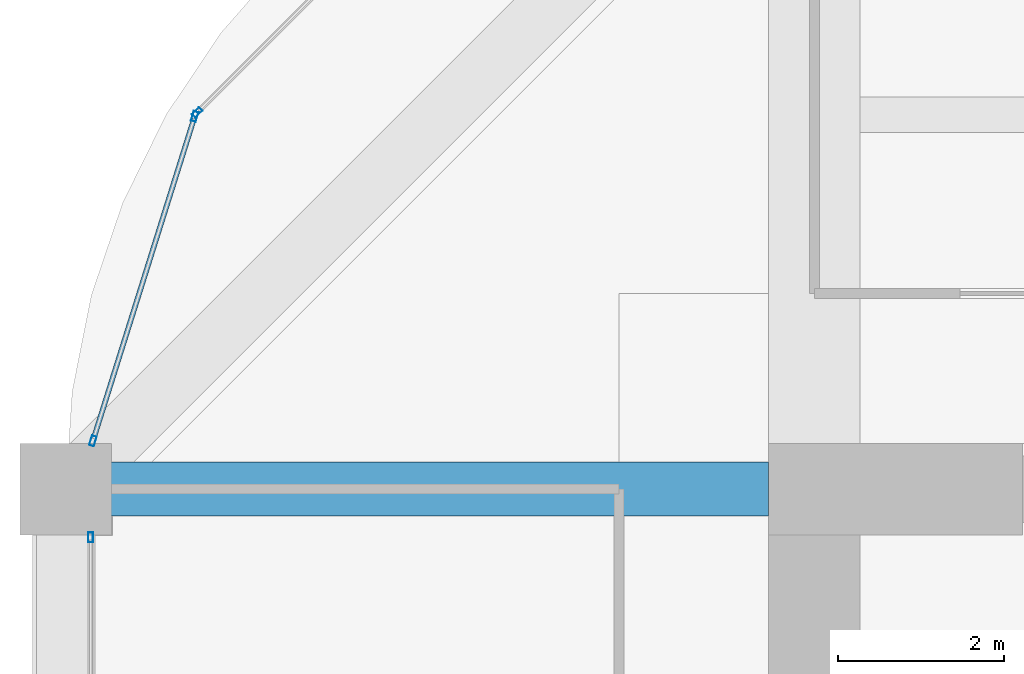
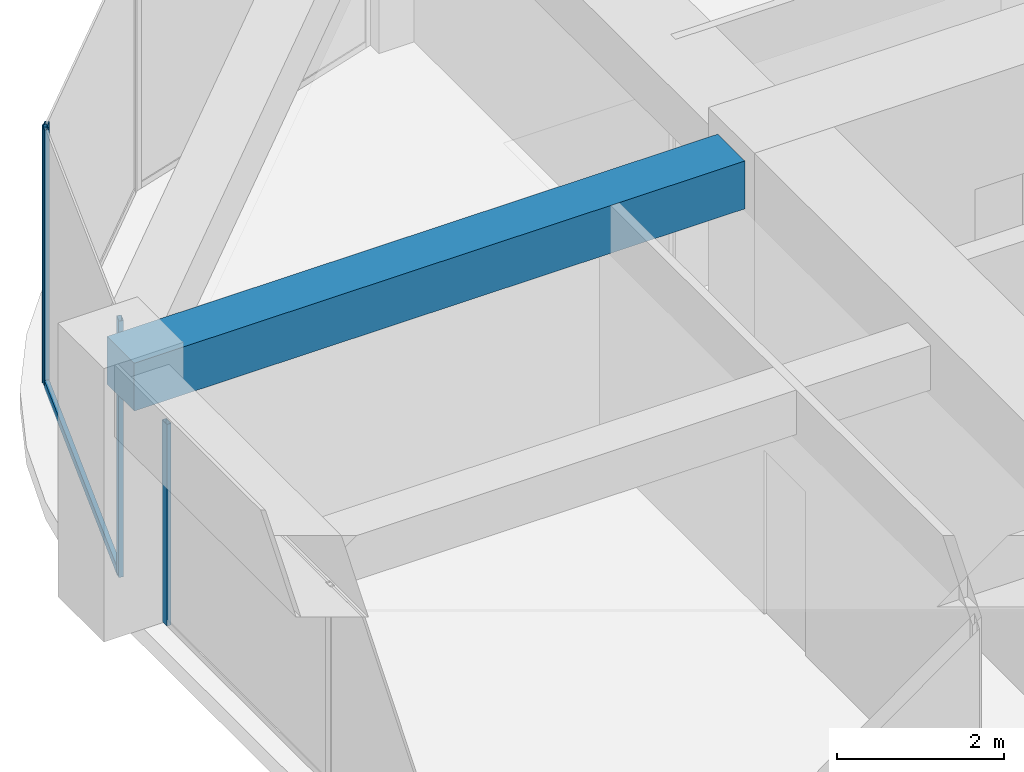
# One storey, part 28 of 44: 5 members, 1 beam, 3 elements without a shape of their own.
"""IFC4 building model written with IfcOpenShell, lengths in metres."""

from ifc_helpers import new_model, si_unit, direction, frame, origin, origin_2d, place, context, subcontext, project, spatial, rectangle, hollow_rectangle, extrude, material, material_profile, profile_set, type_object, element, aggregate, save


model = new_model("IFC4")

# Units and contexts
model_context = context("Model", 3, precision=1e-05, world=origin(), true_north=direction((0.0, 1.0)))
body_context = subcontext(model_context, "Body", "Model", "MODEL_VIEW")
ifc_project = project(units=[si_unit("LENGTHUNIT", "METRE"), si_unit("AREAUNIT", "SQUARE_METRE"), si_unit("VOLUMEUNIT", "CUBIC_METRE"), si_unit("PLANEANGLEUNIT", "RADIAN"), si_unit("MASSUNIT", "GRAM", prefix="KILO")], contexts=[model_context])

# Site, building, storey
site_placement = place(None, origin())
site = spatial("IfcSite", under=ifc_project, at=site_placement, CompositionType="ELEMENT")
building_placement = place(site_placement, origin())
building = spatial("IfcBuilding", under=site, at=building_placement, Name="Zorevar Civic Tower", CompositionType="ELEMENT")
storey_placement = place(building_placement, frame((0.0, 0.0, 283.39990234375)))
storey = spatial("IfcBuildingStorey", under=building, at=storey_placement, Name="L69", CompositionType="ELEMENT", Elevation=283.39990234375)

# Beam
ifc_material_1 = material(Name="Concrete C50/60", Category="concrete")
ifc_material_profile_1 = material_profile(ifc_material_1, rectangle(XDim=0.64990234375, YDim=0.699951171875, at=origin_2d()), Name="RC 650x700")
ifc_profile_set_1 = profile_set([ifc_material_profile_1], Name="Concrete C50/60")
beam_type = type_object("IfcBeamType", Name="Beam RC 650x700", PredefinedType="BEAM", material=ifc_profile_set_1)
beam_placement = place(storey_placement, frame((9.0, 36.0, 3.400146484375), z_axis=(1.0, 0.0, 0.0), x_axis=(0.0, 1.0, 0.0)))
element("IfcBeam", 1, at=beam_placement, inside=storey, type_object=beam_type, Name="Girder L70", PredefinedType="BEAM", context=body_context, shape_type="SweptSolid", body=[
    extrude(rectangle(XDim=0.64990234375, YDim=0.699951171875, at=origin_2d()), origin(), (0.0, 0.0, 1.0), 8.449951171875),
])

# Curtain wall, member
ifc_material_2 = material(Name="Dark grey solar-control glass in black aluminium frame", Category="aluminium")
curtain_wall_type = type_object("IfcCurtainWallType", Name="Curtain wall CW5 top zone", PredefinedType="NOTDEFINED", material=ifc_material_2)
curtain_wall_1_placement = place(storey_placement, origin())
curtain_wall_1 = element("IfcCurtainWall", 2, at=curtain_wall_1_placement, inside=storey, type_object=curtain_wall_type, Name="CW5 L69", PredefinedType="NOTDEFINED")
ifc_material_3 = material(Name="Aluminium, black anodised", Category="aluminium")
ifc_material_profile_2 = material_profile(ifc_material_3, hollow_rectangle(XDim=0.06005859375, YDim=0.1201171875, WallThickness=0.0029296875, at=origin_2d()), Name="AL 120x60x3")
ifc_profile_set_2 = profile_set([ifc_material_profile_2], Name="Aluminium, black anodised")
member_type_1 = type_object("IfcMemberType", Name="CW5 mullion AL 120x60x3", PredefinedType="MULLION", material=ifc_profile_set_2)
member_1_placement = place(storey_placement, frame((9.300048828125, 35.419921875, 0.0), z_axis=(0.0, 0.0, 1.0), x_axis=(-1.0, 0.0, 0.0)))
member_1 = element("IfcMember", 3, at=member_1_placement, type_object=member_type_1, Name="CW5 mullion 3", PredefinedType="MULLION", context=body_context, shape_type="SweptSolid", body=[
    extrude(hollow_rectangle(XDim=0.06005859375, YDim=0.1201171875, WallThickness=0.0029296875, at=origin_2d()), origin(), (0.0, 0.0, 1.0), 2.9501953125),
])
aggregate(curtain_wall_1, [member_1])

curtain_wall_2_placement = place(storey_placement, origin())
curtain_wall_2 = element("IfcCurtainWall", 4, at=curtain_wall_2_placement, inside=storey, type_object=curtain_wall_type, Name="CW5 L69", PredefinedType="NOTDEFINED")
member_2_placement = place(storey_placement, frame((10.580322265625, 40.529052734375, 0.0), z_axis=(0.0, 0.0, 1.0), x_axis=(0.707106781187, -0.707106781187, 0.0)))
member_2 = element("IfcMember", 5, at=member_2_placement, type_object=member_type_1, Name="CW5 mullion 2", PredefinedType="MULLION", context=body_context, shape_type="SweptSolid", body=[
    extrude(hollow_rectangle(XDim=0.06005859375, YDim=0.1201171875, WallThickness=0.0029296875, at=origin_2d()), origin(), (0.0, 0.0, 1.0), 3.75),
])
aggregate(curtain_wall_2, [member_2])

# Curtain wall, members
curtain_wall_3_placement = place(storey_placement, origin())
curtain_wall_3 = element("IfcCurtainWall", 6, at=curtain_wall_3_placement, inside=storey, type_object=curtain_wall_type, Name="CW5 L69", PredefinedType="NOTDEFINED")
member_3_placement = place(storey_placement, frame((10.550048828125, 40.479248046875, 0.0), z_axis=(0.0, 0.0, 1.0), x_axis=(0.954153437674, -0.299317920238, 0.0)))
member_3 = element("IfcMember", 7, at=member_3_placement, type_object=member_type_1, Name="CW5 mullion 1", PredefinedType="MULLION", context=body_context, shape_type="SweptSolid", body=[
    extrude(hollow_rectangle(XDim=0.06005859375, YDim=0.1201171875, WallThickness=0.0029296875, at=origin_2d()), origin(), (0.0, 0.0, 1.0), 3.75),
])
member_4_placement = place(storey_placement, frame((9.326416015625, 36.57861328125, 0.0), z_axis=(0.0, 0.0, 1.0), x_axis=(0.954153437674, -0.299317920238, 0.0)))
member_4 = element("IfcMember", 8, at=member_4_placement, type_object=member_type_1, Name="CW5 mullion 2", PredefinedType="MULLION", context=body_context, shape_type="SweptSolid", body=[
    extrude(hollow_rectangle(XDim=0.06005859375, YDim=0.1201171875, WallThickness=0.0029296875, at=origin_2d()), origin(), (0.0, 0.0, 1.0), 3.75),
])
ifc_material_4 = material(Name="Aluminium, black anodised", Category="aluminium")
ifc_material_profile_3 = material_profile(ifc_material_4, hollow_rectangle(XDim=0.06005859375, YDim=0.1201171875, WallThickness=0.0029296875, at=origin_2d()), Name="AL 120x60x3")
ifc_profile_set_3 = profile_set([ifc_material_profile_3], Name="Aluminium, black anodised")
member_type_2 = type_object("IfcMemberType", Name="CW5 transom AL 120x60x3", PredefinedType="USERDEFINED", material=ifc_profile_set_3)
member_5_placement = place(storey_placement, frame((10.541015625, 40.45068359375, 0.030029296875), z_axis=(-0.299285978047, -0.954163457351, 0.0), x_axis=(0.954163457351, -0.299285978047, 0.0)))
member_5 = element("IfcMember", 9, at=member_5_placement, type_object=member_type_2, Name="CW5 sill transom", ObjectType="TRANSOM", PredefinedType="USERDEFINED", context=body_context, shape_type="SweptSolid", body=[
    extrude(hollow_rectangle(XDim=0.06005859375, YDim=0.1201171875, WallThickness=0.0029296875, at=origin_2d()), origin(), (0.0, 0.0, 1.0), 4.028076171875),
])
aggregate(curtain_wall_3, [member_3, member_4, member_5])

save(model, "model.ifc")
